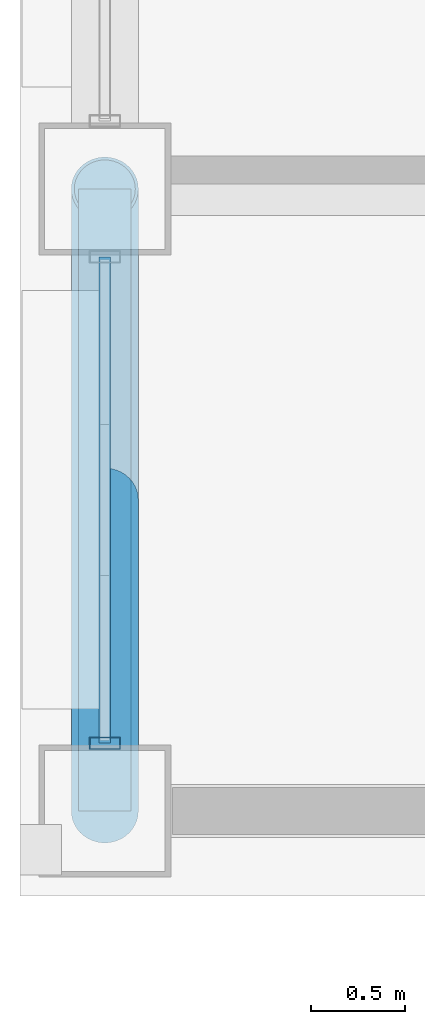
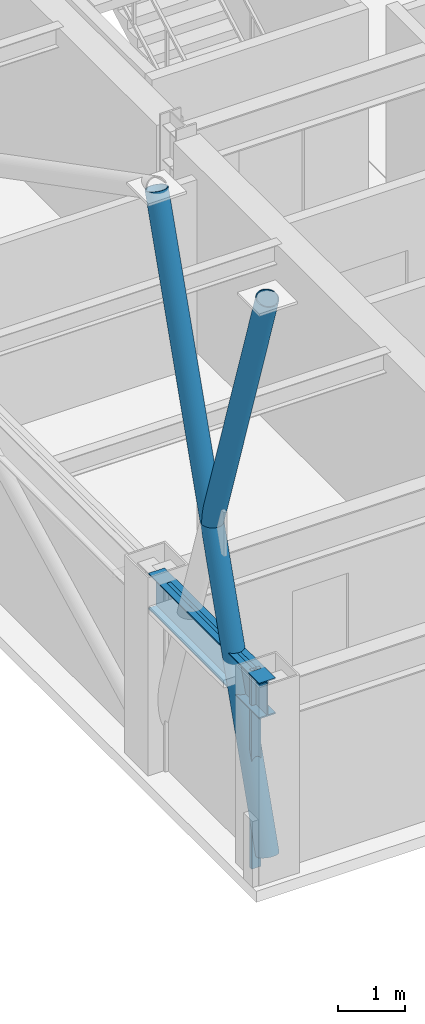
# One storey, part 3 of 33: 4 members, 1 beam, 1 element without a shape of its own.
"""IFC4 building model written with IfcOpenShell, lengths in metres."""

from ifc_helpers import new_model, si_unit, direction, frame, origin, origin_2d, place, context, subcontext, project, spatial, hollow_rectangle, hollow_circle, i_section, extrude, material, layer, layer_set, material_profile, profile_set, type_object, element, aggregate, save


model = new_model("IFC4")

# Units and contexts
model_context = context("Model", 3, precision=1e-05, world=origin(), true_north=direction((0.0, 1.0)))
body_context = subcontext(model_context, "Body", "Model", "MODEL_VIEW")
ifc_project = project(units=[si_unit("LENGTHUNIT", "METRE"), si_unit("AREAUNIT", "SQUARE_METRE"), si_unit("VOLUMEUNIT", "CUBIC_METRE"), si_unit("PLANEANGLEUNIT", "RADIAN"), si_unit("MASSUNIT", "GRAM", prefix="KILO")], contexts=[model_context])

# Site, building, storey
site_placement = place(None, origin())
site = spatial("IfcSite", under=ifc_project, at=site_placement, CompositionType="ELEMENT")
building_placement = place(site_placement, origin())
building = spatial("IfcBuilding", under=site, at=building_placement, Name="Brelmoor Portico Tower", CompositionType="ELEMENT")
storey_placement = place(building_placement, frame((0.0, 0.0, 194.699951171875)))
storey = spatial("IfcBuildingStorey", under=building, at=storey_placement, Name="L51", CompositionType="ELEMENT", Elevation=194.699951171875)

# Beam
ifc_material_1 = material(Name="Steel Q355B", Category="steel")
ifc_material_profile_1 = material_profile(ifc_material_1, i_section(OverallWidth=0.280029296875, OverallDepth=0.64990234375, WebThickness=0.012939453125, FlangeThickness=0.02197265625, at=origin_2d()), Name="HN 650x280x13x22")
ifc_profile_set_1 = profile_set([ifc_material_profile_1], Name="Steel Q355B")
beam_type = type_object("IfcBeamType", Name="BM-SP-650", PredefinedType="SPANDREL", material=ifc_profile_set_1)
beam_placement = place(storey_placement, frame((-20.550048828125, -13.050048828125, 3.074951171875), z_axis=(0.0, 1.0, 0.0), x_axis=(-1.0, 0.0, 0.0)))
element("IfcBeam", 1, at=beam_placement, inside=storey, type_object=beam_type, Name="L51 Perimeter Spandrel Beam SP-11", PredefinedType="SPANDREL", context=body_context, shape_type="SweptSolid", body=[
    extrude(i_section(OverallWidth=0.280029296875, OverallDepth=0.64990234375, WebThickness=0.012939453125, FlangeThickness=0.02197265625, at=origin_2d()), origin(), (0.0, 0.0, 1.0), 3.300048828125),
])

# Members
ifc_material_profile_2 = material_profile(ifc_material_1, hollow_circle(Radius=0.177978515625, WallThickness=0.01611328125, at=origin_2d()), Name="CHS 356x16")
ifc_profile_set_2 = profile_set([ifc_material_profile_2], Name="Steel Q355B")
member_type_1 = type_object("IfcMemberType", Name="MB-BELT-DIAG2", PredefinedType="BRACE", material=ifc_profile_set_2)
member_1_placement = place(storey_placement, frame((-20.550048828125, -13.050048828125, 0.25), z_axis=(0.0, 0.310576778545, 0.950548296842), x_axis=(-1.0, 0.0, 0.0)))
element("IfcMember", 2, at=member_1_placement, inside=storey, type_object=member_type_1, Name="L51 Continuous Mega-X Brace 122A", PredefinedType="BRACE", context=body_context, shape_type="SweptSolid", body=[
    extrude(hollow_circle(Radius=0.177978515625, WallThickness=0.01611328125, at=origin_2d()), origin(), (0.0, 0.0, 1.0), 10.62548828125),
])
member_2_placement = place(storey_placement, frame((-20.550048828125, -11.39990234375, 5.300048828125), z_axis=(0.0, -0.310597538786, 0.950541513507), x_axis=(1.0, 0.0, 0.0)))
element("IfcMember", 3, at=member_2_placement, inside=storey, type_object=member_type_1, Name="L51 Split Mega-X Brace 122B2", PredefinedType="BRACE", context=body_context, shape_type="SweptSolid", body=[
    extrude(hollow_circle(Radius=0.177978515625, WallThickness=0.01611328125, at=origin_2d()), origin(), (0.0, 0.0, 1.0), 5.312744140625),
])

# Curtain wall, members
ifc_material_2 = material(Name="Anodised Aluminium Alloy 6063-T6", Category="aluminium")
ifc_layer = layer(ifc_material_2, 0.179931640625)
ifc_layer_set = layer_set([ifc_layer], Name="Anodised Aluminium Alloy 6063-T6")
curtain_wall_type = type_object("IfcCurtainWallType", Name="CW-TOWER-Z3-XB", PredefinedType="NOTDEFINED", material=ifc_layer_set)
curtain_wall_placement = place(storey_placement, origin())
curtain_wall = element("IfcCurtainWall", 4, at=curtain_wall_placement, inside=storey, type_object=curtain_wall_type, Name="L51 Curtain Wall CW-L51-03-1", PredefinedType="NOTDEFINED")
ifc_material_profile_3 = material_profile(ifc_material_2, hollow_rectangle(XDim=0.06494140625, YDim=0.1650390625, WallThickness=0.00390625, at=origin_2d()), Name="ALU MULLION 65x165")
ifc_profile_set_3 = profile_set([ifc_material_profile_3], Name="Anodised Aluminium Alloy 6063-T6")
member_type_2 = type_object("IfcMemberType", Name="MB-CW-MULL-165", PredefinedType="MULLION", material=ifc_profile_set_3)
member_3_placement = place(storey_placement, frame((-20.550048828125, -12.68994140625, -0.199951171875), z_axis=(0.0, 0.0, 1.0), x_axis=(0.0, 1.0, 0.0)))
member_3 = element("IfcMember", 5, at=member_3_placement, type_object=member_type_2, Name="CW-L51-03-1 Mullion 00", PredefinedType="MULLION", context=body_context, shape_type="SweptSolid", body=[
    extrude(hollow_rectangle(XDim=0.06494140625, YDim=0.1650390625, WallThickness=0.00390625, at=origin_2d()), origin(), (0.0, 0.0, 1.0), 3.60009765625),
])
ifc_material_profile_4 = material_profile(ifc_material_2, hollow_rectangle(XDim=0.06005859375, YDim=0.125, WallThickness=0.00341796875, at=origin_2d()), Name="ALU TRANSOM 60x125")
ifc_profile_set_4 = profile_set([ifc_material_profile_4], Name="Anodised Aluminium Alloy 6063-T6")
member_type_3 = type_object("IfcMemberType", Name="MB-CW-TRAN-125", PredefinedType="USERDEFINED", material=ifc_profile_set_4)
member_4_placement = place(storey_placement, frame((-20.550048828125, -12.68994140625, 3.337646484375), z_axis=(0.0, 1.0, 0.0), x_axis=(-1.0, 0.0, 0.0)))
member_4 = element("IfcMember", 6, at=member_4_placement, type_object=member_type_3, Name="CW-L51-03-1 Transom 1-00", ObjectType="TRANSOM", PredefinedType="USERDEFINED", context=body_context, shape_type="SweptSolid", body=[
    extrude(hollow_rectangle(XDim=0.06005859375, YDim=0.125, WallThickness=0.00341796875, at=origin_2d()), origin(), (0.0, 0.0, 1.0), 2.579833984375),
])
aggregate(curtain_wall, [member_3, member_4])

save(model, "model.ifc")
